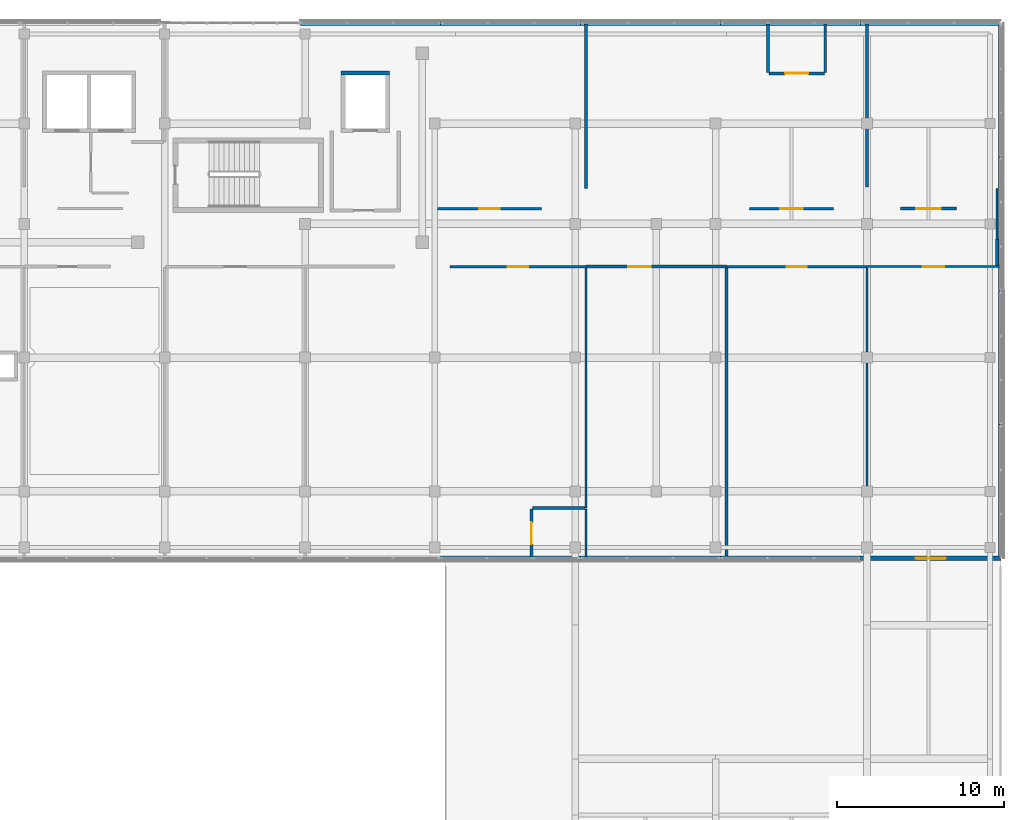
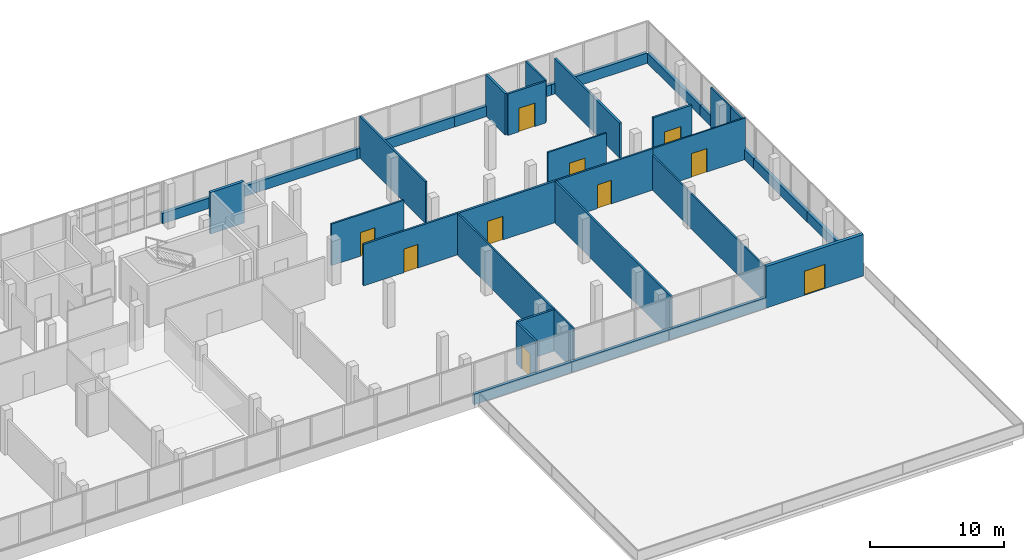
# One storey, part 70 of 76: 34 walls, 10 doors, 10 openings.
"""IFC4 building model written with IfcOpenShell, lengths in metres."""

from ifc_helpers import new_model, si_unit, direction, frame, frame_2d, origin, place, context, subcontext, project, spatial, rectangle, extrude, material, layer, layer_set, type_object, element, fill, save


model = new_model("IFC4")

# Units and contexts
model_context = context("Model", 3, precision=1e-05, world=origin(), true_north=direction((0.0, 1.0)))
body_context = subcontext(model_context, "Body", "Model", "MODEL_VIEW")
ifc_project = project(units=[si_unit("LENGTHUNIT", "METRE"), si_unit("AREAUNIT", "SQUARE_METRE"), si_unit("VOLUMEUNIT", "CUBIC_METRE"), si_unit("PLANEANGLEUNIT", "RADIAN"), si_unit("MASSUNIT", "GRAM", prefix="KILO")], contexts=[model_context])

# Site, building, storey
site_placement = place(None, origin())
site = spatial("IfcSite", under=ifc_project, at=site_placement, CompositionType="ELEMENT")
building_placement = place(site_placement, origin())
building = spatial("IfcBuilding", under=site, at=building_placement, Name="Selatvlak General Hospital", CompositionType="ELEMENT")
storey_placement = place(building_placement, frame((0.0, 0.0, 27.300048828125)))
storey = spatial("IfcBuildingStorey", under=building, at=storey_placement, Name="L06", CompositionType="ELEMENT", Elevation=27.300048828125)

# Walls
ifc_material_1 = material(Name="Precast concrete C40/50 - white Bauhaus spandrel", Category="concrete")
ifc_layer_1 = layer(ifc_material_1, 0.280029296875, Name="Precast concrete C40/50 - white Bauhaus spandrel", Category="concrete")
ifc_layer_set_1 = layer_set([ifc_layer_1], Name="Precast concrete C40/50 - white Bauhaus spandrel")
wall_type_1 = type_object("IfcWallType", Name="WALL-EW-02", PredefinedType="SOLIDWALL", material=ifc_layer_set_1)
wall_1_placement = place(storey_placement, frame((140.10693359375, 120.0, 0.0), z_axis=(0.0, 0.0, 1.0), x_axis=(1.0, 0.0, 0.0)))
element("IfcWall", 1, at=wall_1_placement, inside=storey, type_object=wall_type_1, Name="L06 Bauhaus spandrel sill wall 0537", PredefinedType="SOLIDWALL", context=body_context, shape_type="SweptSolid", body=[
    extrude(rectangle(XDim=8.3740234375, YDim=0.280029296875, at=frame_2d((4.18701171875, 0.0))), origin(), (0.0, 0.0, 1.0), 0.93994140625),
])
for number, where, z_axis, x_axis, name in (
    (2, (148.485107421875, 120.0, 0.0), (0.0, 0.0, 1.0), (1.0, 0.0, 0.0), "L06 Bauhaus spandrel sill wall 0538"),
    (3, (156.864013671875, 120.0, 0.0), (0.0, 0.0, 1.0), (1.0, 0.0, 0.0), "L06 Bauhaus spandrel sill wall 0539"),
    (4, (165.242919921875, 120.0, 0.0), (0.0, 0.0, 1.0), (1.0, 0.0, 0.0), "L06 Bauhaus spandrel sill wall 0540"),
):
    element("IfcWall", number, at=place(storey_placement, frame(where, z_axis=z_axis, x_axis=x_axis)), inside=storey, type_object=wall_type_1, Name=name, PredefinedType="SOLIDWALL", context=body_context, shape_type="SweptSolid", body=[
        extrude(rectangle(XDim=8.375, YDim=0.280029296875, at=frame_2d((4.1875, 0.0))), origin(), (0.0, 0.0, 1.0), 0.93994140625),
    ])
wall_2_placement = place(storey_placement, frame((173.6220703125, 120.0, 0.0), z_axis=(0.0, 0.0, 1.0), x_axis=(1.0, 0.0, 0.0)))
element("IfcWall", 5, at=wall_2_placement, inside=storey, type_object=wall_type_1, Name="L06 Bauhaus spandrel sill wall 0541", PredefinedType="SOLIDWALL", context=body_context, shape_type="SweptSolid", body=[
    extrude(rectangle(XDim=8.23681640625, YDim=0.280029296875, at=frame_2d((4.118408203125, 0.0))), origin(), (0.0, 0.0, 1.0), 0.93994140625),
])
wall_3_placement = place(storey_placement, frame((181.9990234375, 119.860107421875, 0.0), z_axis=(0.0, 0.0, 1.0), x_axis=(0.0, -1.0, 0.0)))
element("IfcWall", 6, at=wall_3_placement, inside=storey, type_object=wall_type_1, Name="L06 Bauhaus spandrel sill wall 0542", PredefinedType="SOLIDWALL", context=body_context, shape_type="SweptSolid", body=[
    extrude(rectangle(XDim=7.858154296875, YDim=0.280029296875, at=frame_2d((3.92919921875, 0.0))), origin(), (0.0, 0.0, 1.0), 0.93994140625),
])
wall_4_placement = place(storey_placement, frame((181.9990234375, 111.998046875, 0.0), z_axis=(0.0, 0.0, 1.0), x_axis=(0.000122144863, -0.99999999254, 0.0)))
element("IfcWall", 7, at=wall_4_placement, inside=storey, type_object=wall_type_1, Name="L06 Bauhaus spandrel sill wall 0543", PredefinedType="SOLIDWALL", context=body_context, shape_type="SweptSolid", body=[
    extrude(rectangle(XDim=7.9951171875, YDim=0.280029296875, at=frame_2d((3.99755859375, 0.0))), origin(), (0.0, 0.0, 1.0), 0.93994140625),
])
wall_5_placement = place(storey_placement, frame((182.0, 103.9990234375, 0.0), z_axis=(0.0, 0.0, 1.0), x_axis=(0.0, -1.0, 0.0)))
element("IfcWall", 8, at=wall_5_placement, inside=storey, type_object=wall_type_1, Name="L06 Bauhaus spandrel sill wall 0544", PredefinedType="SOLIDWALL", context=body_context, shape_type="SweptSolid", body=[
    extrude(rectangle(XDim=7.99609375, YDim=0.280029296875, at=frame_2d((3.998046875, 0.0))), origin(), (0.0, 0.0, 1.0), 0.93994140625),
])
wall_6_placement = place(storey_placement, frame((182.0, 95.9990234375, 0.0), z_axis=(0.0, 0.0, 1.0), x_axis=(0.0, -1.0, 0.0)))
element("IfcWall", 9, at=wall_6_placement, inside=storey, type_object=wall_type_1, Name="L06 Bauhaus spandrel sill wall 0545", PredefinedType="SOLIDWALL", context=body_context, shape_type="SweptSolid", body=[
    extrude(rectangle(XDim=7.85791015625, YDim=0.280029296875, at=frame_2d((3.928955078125, 0.0))), origin(), (0.0, 0.0, 1.0), 0.93994140625),
])

# Wall, opening, door
wall_7_placement = place(storey_placement, frame((182.0, 88.0009765625, 0.0), z_axis=(0.0, 0.0, 1.0), x_axis=(-1.0, 0.0, 0.0)))
wall_7 = element("IfcWall", 10, at=wall_7_placement, inside=storey, type_object=wall_type_1, Name="L06 exterior wall 0546", PredefinedType="SOLIDWALL", context=body_context, shape_type="SweptSolid", body=[
    extrude(rectangle(XDim=8.37890625, YDim=0.280029296875, at=frame_2d((4.189453125, 0.0))), origin(), (0.0, 0.0, 1.0), 3.780029296875),
])
opening_1_placement = place(wall_7_placement, frame((3.2890625, 0.0, 0.0)))
opening_1 = element("IfcOpeningElement", 11, at=opening_1_placement, cuts=wall_7, Name="Opening DE-04", PredefinedType="OPENING", context=body_context, shape_type="SweptSolid", body=[
    extrude(rectangle(XDim=1.800048828125, YDim=2.199951171875, at=frame_2d((0.89990234375, 1.10009765625))), frame((0.0, 0.14990234375, 0.0), z_axis=(0.0, -1.0, 0.0), x_axis=(1.0, 0.0, 0.0)), (0.0, 0.0, 1.0), 0.300048828125),
])
ifc_material_2 = material(Name="Anodised aluminium terrace double door", Category="aluminium")
door_type_1 = type_object("IfcDoorType", Name="DOOR-DE-04", OperationType="DOUBLE_DOOR_SINGLE_SWING", PredefinedType="DOOR", material=ifc_material_2)
door_1_placement = place(opening_1_placement, origin())
door_1 = element("IfcDoor", 12, at=door_1_placement, inside=storey, type_object=door_type_1, Name="L06 healing roof terrace door 032", OperationType="DOUBLE_DOOR_SINGLE_SWING", OverallHeight=2.199951171875, OverallWidth=1.800048828125, PredefinedType="DOOR", context=body_context, shape_type="SweptSolid", body=[
    extrude(rectangle(XDim=1.800048828125, YDim=2.199951171875, at=frame_2d((0.89990234375, 1.10009765625))), frame((0.0, 0.02490234375, 0.0), z_axis=(0.0, -1.0, 0.0), x_axis=(1.0, 0.0, 0.0)), (0.0, 0.0, 1.0), 0.050048828125),
])
fill(opening_1, door_1)

# Walls
for number, where, z_axis, x_axis, name in (
    (13, (173.618896484375, 88.0009765625, 0.0), (0.0, 0.0, 1.0), (-1.0, 0.0, 0.0), "L06 Bauhaus spandrel sill wall 0547"),
    (14, (165.239990234375, 88.0009765625, 0.0), (0.0, 0.0, 1.0), (-1.0, 0.0, 0.0), "L06 Bauhaus spandrel sill wall 0548"),
    (15, (156.861083984375, 88.0009765625, 0.0), (0.0, 0.0, 1.0), (-1.0, 0.0, 0.0), "L06 Bauhaus spandrel sill wall 0549"),
):
    element("IfcWall", number, at=place(storey_placement, frame(where, z_axis=z_axis, x_axis=x_axis)), inside=storey, type_object=wall_type_1, Name=name, PredefinedType="SOLIDWALL", context=body_context, shape_type="SweptSolid", body=[
        extrude(rectangle(XDim=8.375, YDim=0.280029296875, at=frame_2d((4.1875, 0.0))), origin(), (0.0, 0.0, 1.0), 0.93994140625),
    ])
ifc_material_3 = material(Name="Acoustic gypsum stud partition")
ifc_layer_2 = layer(ifc_material_3, 0.179931640625, Name="Acoustic gypsum stud partition")
ifc_layer_set_2 = layer_set([ifc_layer_2], Name="Acoustic gypsum stud partition")
wall_type_2 = type_object("IfcWallType", Name="WALL-PT-01", PredefinedType="PARTITIONING", material=ifc_layer_set_2)
wall_8_placement = place(storey_placement, frame((157.135986328125, 91.0, 0.0), z_axis=(0.0, 0.0, 1.0), x_axis=(-1.0, 0.0, 0.0)))
element("IfcWall", 16, at=wall_8_placement, inside=storey, type_object=wall_type_2, Name="L06 clinical partition PT-L06-2007", PredefinedType="PARTITIONING", context=body_context, shape_type="SweptSolid", body=[
    extrude(rectangle(XDim=3.135986328125, YDim=0.179931640625, at=frame_2d((1.56787109375, 0.0))), origin(), (0.0, 0.0, 1.0), 3.780029296875),
])

# Wall, opening, door
wall_9_placement = place(storey_placement, frame((157.199951171875, 105.43994140625, 0.0), z_axis=(0.0, 0.0, 1.0), x_axis=(1.0, 0.0, 0.0)))
wall_9 = element("IfcWall", 17, at=wall_9_placement, inside=storey, type_object=wall_type_2, Name="L06 clinical partition PT-L06-2010", PredefinedType="PARTITIONING", context=body_context, shape_type="SweptSolid", body=[
    extrude(rectangle(XDim=8.400146484375, YDim=0.179931640625, at=frame_2d((4.2001953125, 0.0))), origin(), (0.0, 0.0, 1.0), 3.780029296875),
])
opening_2_placement = place(wall_9_placement, frame((2.51708984375, 0.0, 0.0)))
opening_2 = element("IfcOpeningElement", 18, at=opening_2_placement, cuts=wall_9, Name="Opening D-10", PredefinedType="OPENING", context=body_context, shape_type="SweptSolid", body=[
    extrude(rectangle(XDim=1.35009765625, YDim=2.14990234375, at=frame_2d((0.675048828125, 1.074951171875))), frame((0.0, 0.099853515625, 0.0), z_axis=(0.0, -1.0, 0.0), x_axis=(1.0, 0.0, 0.0)), (0.0, 0.0, 1.0), 0.199951171875),
])
ifc_material_4 = material(Name="Single patient bed door")
door_type_2 = type_object("IfcDoorType", Name="DOOR-D-10", OperationType="NOTDEFINED", PredefinedType="DOOR", material=ifc_material_4)
door_2_placement = place(opening_2_placement, origin())
door_2 = element("IfcDoor", 19, at=door_2_placement, inside=storey, type_object=door_type_2, Name="L06 Coronary Care Unit Bay 14 door", OperationType="SINGLE_SWING_RIGHT", OverallHeight=2.14990234375, OverallWidth=1.35009765625, PredefinedType="DOOR", context=body_context, shape_type="SweptSolid", body=[
    extrude(rectangle(XDim=1.35009765625, YDim=2.14990234375, at=frame_2d((0.675048828125, 1.074951171875))), frame((0.0, 0.02490234375, 0.0), z_axis=(0.0, -1.0, 0.0), x_axis=(1.0, 0.0, 0.0)), (0.0, 0.0, 1.0), 0.050048828125),
])
fill(opening_2, door_2)

# Walls
wall_10_placement = place(storey_placement, frame((181.760009765625, 105.49609375, 0.0), z_axis=(0.0, 0.0, 1.0), x_axis=(0.0, 1.0, 0.0)))
element("IfcWall", 20, at=wall_10_placement, inside=storey, type_object=wall_type_2, Name="L06 clinical partition PT-L06-2015", PredefinedType="PARTITIONING", context=body_context, shape_type="SweptSolid", body=[
    extrude(rectangle(XDim=1.60400390625, YDim=0.179931640625, at=frame_2d((0.802001953125, 0.0))), origin(), (0.0, 0.0, 1.0), 3.780029296875),
])
wall_11_placement = place(storey_placement, frame((168.090087890625, 119.9580078125, 0.0), z_axis=(0.0, 0.0, 1.0), x_axis=(0.0, -1.0, 0.0)))
element("IfcWall", 21, at=wall_11_placement, inside=storey, type_object=wall_type_2, Name="L06 clinical partition PT-L06-2055", PredefinedType="PARTITIONING", context=body_context, shape_type="SweptSolid", body=[
    extrude(rectangle(XDim=2.89794921875, YDim=0.179931640625, at=frame_2d((1.448974609375, 0.0))), origin(), (0.0, 0.0, 1.0), 3.780029296875),
])
wall_12_placement = place(storey_placement, frame((174.0, 119.9580078125, 0.0), z_axis=(0.0, 0.0, 1.0), x_axis=(0.0, -1.0, 0.0)))
element("IfcWall", 22, at=wall_12_placement, inside=storey, type_object=wall_type_2, Name="L06 clinical partition PT-L06-2058", PredefinedType="PARTITIONING", context=body_context, shape_type="SweptSolid", body=[
    extrude(rectangle(XDim=9.748046875, YDim=0.179931640625, at=frame_2d((4.8740234375, 0.0))), origin(), (0.0, 0.0, 1.0), 3.177978515625),
])

# Wall, opening, door
wall_13_placement = place(storey_placement, frame((179.339111328125, 108.909912109375, 0.0), z_axis=(0.0, 0.0, 1.0), x_axis=(-1.0, 0.0, 0.0)))
wall_13 = element("IfcWall", 23, at=wall_13_placement, inside=storey, type_object=wall_type_2, Name="L06 clinical partition PT-L06-2060", PredefinedType="PARTITIONING", context=body_context, shape_type="SweptSolid", body=[
    extrude(rectangle(XDim=3.328125, YDim=0.179931640625, at=frame_2d((1.6640625, 0.0))), origin(), (0.0, 0.0, 1.0), 3.780029296875),
])
opening_3_placement = place(wall_13_placement, frame((0.93896484375, 0.0, 0.0)))
opening_3 = element("IfcOpeningElement", 24, at=opening_3_placement, cuts=wall_13, Name="Opening D-12", PredefinedType="OPENING", context=body_context, shape_type="SweptSolid", body=[
    extrude(rectangle(XDim=1.449951171875, YDim=2.14990234375, at=frame_2d((0.72509765625, 1.074951171875))), frame((0.0, 0.099853515625, 0.0), z_axis=(0.0, -1.0, 0.0), x_axis=(1.0, 0.0, 0.0)), (0.0, 0.0, 1.0), 0.199951171875),
])
ifc_material_5 = material(Name="Isolation anteroom door")
door_type_3 = type_object("IfcDoorType", Name="DOOR-D-12", OperationType="NOTDEFINED", PredefinedType="DOOR", material=ifc_material_5)
door_3_placement = place(opening_3_placement, origin())
door_3 = element("IfcDoor", 25, at=door_3_placement, inside=storey, type_object=door_type_3, Name="L06 Coronary Care Unit Bay 32 door", OperationType="SINGLE_SWING_RIGHT", OverallHeight=2.14990234375, OverallWidth=1.449951171875, PredefinedType="DOOR", context=body_context, shape_type="SweptSolid", body=[
    extrude(rectangle(XDim=1.449951171875, YDim=2.14990234375, at=frame_2d((0.72509765625, 1.074951171875))), frame((0.0, 0.02490234375, 0.0), z_axis=(0.0, -1.0, 0.0), x_axis=(1.0, 0.0, 0.0)), (0.0, 0.0, 1.0), 0.050048828125),
])
fill(opening_3, door_3)

ifc_layer_3 = layer(ifc_material_3, 0.1650390625, Name="Acoustic gypsum stud partition")
ifc_layer_set_3 = layer_set([ifc_layer_3], Name="Acoustic gypsum stud partition")
wall_type_3 = type_object("IfcWallType", Name="WALL-PT-02", PredefinedType="PARTITIONING", material=ifc_layer_set_3)
wall_14_placement = place(storey_placement, frame((149.055908203125, 105.43994140625, 0.0), z_axis=(0.0, 0.0, 1.0), x_axis=(1.0, 0.0, 0.0)))
wall_14 = element("IfcWall", 26, at=wall_14_placement, inside=storey, type_object=wall_type_3, Name="L06 clinical partition PT-L06-2005", PredefinedType="PARTITIONING", context=body_context, shape_type="SweptSolid", body=[
    extrude(rectangle(XDim=8.14404296875, YDim=0.1650390625, at=frame_2d((4.072021484375, 0.0))), origin(), (0.0, 0.0, 1.0), 3.780029296875),
])
opening_4_placement = place(wall_14_placement, frame((3.471923828125, 0.0, 0.0)))
opening_4 = element("IfcOpeningElement", 27, at=opening_4_placement, cuts=wall_14, Name="Opening D-07", PredefinedType="OPENING", context=body_context, shape_type="SweptSolid", body=[
    extrude(rectangle(XDim=1.199951171875, YDim=2.14990234375, at=frame_2d((0.60009765625, 1.074951171875))), frame((0.0, 0.092529296875, 0.0), z_axis=(0.0, -1.0, 0.0), x_axis=(1.0, 0.0, 0.0)), (0.0, 0.0, 1.0), 0.18505859375),
])
ifc_material_6 = material(Name="Plant and store fire door")
door_type_4 = type_object("IfcDoorType", Name="DOOR-D-07", OperationType="NOTDEFINED", PredefinedType="DOOR", material=ifc_material_6)
door_4_placement = place(opening_4_placement, origin())
door_4 = element("IfcDoor", 28, at=door_4_placement, inside=storey, type_object=door_type_4, Name="L06 Single Patient Room 13 door", OperationType="SINGLE_SWING_RIGHT", OverallHeight=2.14990234375, OverallWidth=1.199951171875, PredefinedType="DOOR", context=body_context, shape_type="SweptSolid", body=[
    extrude(rectangle(XDim=1.199951171875, YDim=2.14990234375, at=frame_2d((0.60009765625, 1.074951171875))), frame((0.0, 0.02490234375, 0.0), z_axis=(0.0, -1.0, 0.0), x_axis=(1.0, 0.0, 0.0)), (0.0, 0.0, 1.0), 0.050048828125),
])
fill(opening_4, door_4)

wall_15_placement = place(storey_placement, frame((153.93994140625, 90.93994140625, 0.0), z_axis=(0.0, 0.0, 1.0), x_axis=(0.0, -1.0, 0.0)))
wall_15 = element("IfcWall", 29, at=wall_15_placement, inside=storey, type_object=wall_type_3, Name="L06 clinical partition PT-L06-2008", PredefinedType="PARTITIONING", context=body_context, shape_type="SweptSolid", body=[
    extrude(rectangle(XDim=2.89697265625, YDim=0.1650390625, at=frame_2d((1.448486328125, 0.0))), origin(), (0.0, 0.0, 1.0), 3.780029296875),
])
opening_5_placement = place(wall_15_placement, frame((0.798095703125, 0.0, 0.0)))
opening_5 = element("IfcOpeningElement", 30, at=opening_5_placement, cuts=wall_15, Name="Opening D-09", PredefinedType="OPENING", context=body_context, shape_type="SweptSolid", body=[
    extrude(rectangle(XDim=1.300048828125, YDim=2.14990234375, at=frame_2d((0.64990234375, 1.074951171875))), frame((0.0, 0.092529296875, 0.0), z_axis=(0.0, -1.0, 0.0), x_axis=(1.0, 0.0, 0.0)), (0.0, 0.0, 1.0), 0.18505859375),
])
ifc_material_7 = material(Name="Outpatient procedure door")
door_type_5 = type_object("IfcDoorType", Name="DOOR-D-09", OperationType="NOTDEFINED", PredefinedType="DOOR", material=ifc_material_7)
door_5_placement = place(opening_5_placement, origin())
door_5 = element("IfcDoor", 31, at=door_5_placement, inside=storey, type_object=door_type_5, Name="L06 Patient En-Suite WC 13 door", OperationType="SINGLE_SWING_LEFT", OverallHeight=2.14990234375, OverallWidth=1.300048828125, PredefinedType="DOOR", context=body_context, shape_type="SweptSolid", body=[
    extrude(rectangle(XDim=1.300048828125, YDim=2.14990234375, at=frame_2d((0.64990234375, 1.074951171875))), frame((0.0, 0.02490234375, 0.0), z_axis=(0.0, -1.0, 0.0), x_axis=(1.0, 0.0, 0.0)), (0.0, 0.0, 1.0), 0.050048828125),
])
fill(opening_5, door_5)

# Walls
wall_16_placement = place(storey_placement, frame((165.60009765625, 105.35400390625, 0.0), z_axis=(0.0, 0.0, 1.0), x_axis=(0.0, -1.0, 0.0)))
element("IfcWall", 32, at=wall_16_placement, inside=storey, type_object=wall_type_3, Name="L06 clinical partition PT-L06-2011", PredefinedType="PARTITIONING", context=body_context, shape_type="SweptSolid", body=[
    extrude(rectangle(XDim=17.31103515625, YDim=0.1650390625, at=frame_2d((8.655517578125, 0.0))), origin(), (0.0, 0.0, 1.0), 3.780029296875),
])
wall_17_placement = place(storey_placement, frame((157.199951171875, 119.9580078125, 0.0), z_axis=(0.0, 0.0, 1.0), x_axis=(0.0, -1.0, 0.0)))
element("IfcWall", 33, at=wall_17_placement, inside=storey, type_object=wall_type_3, Name="L06 clinical partition PT-L06-2051", PredefinedType="PARTITIONING", context=body_context, shape_type="SweptSolid", body=[
    extrude(rectangle(XDim=9.845947265625, YDim=0.1650390625, at=frame_2d((4.9228515625, 0.0))), origin(), (0.0, 0.0, 1.0), 3.780029296875),
])

# Wall, opening, door
wall_18_placement = place(storey_placement, frame((168.14990234375, 117.0, 0.0), z_axis=(0.0, 0.0, 1.0), x_axis=(1.0, 0.0, 0.0)))
wall_18 = element("IfcWall", 34, at=wall_18_placement, inside=storey, type_object=wall_type_3, Name="L06 clinical partition PT-L06-2056", PredefinedType="PARTITIONING", context=body_context, shape_type="SweptSolid", body=[
    extrude(rectangle(XDim=3.300048828125, YDim=0.1650390625, at=frame_2d((1.64990234375, 0.0))), origin(), (0.0, 0.0, 1.0), 3.780029296875),
])
opening_6_placement = place(wall_18_placement, frame((0.949951171875, 0.0, 0.0)))
opening_6 = element("IfcOpeningElement", 35, at=opening_6_placement, cuts=wall_18, Name="Opening D-11", PredefinedType="OPENING", context=body_context, shape_type="SweptSolid", body=[
    extrude(rectangle(XDim=1.39990234375, YDim=2.14990234375, at=frame_2d((0.699951171875, 1.074951171875))), frame((0.0, 0.092529296875, 0.0), z_axis=(0.0, -1.0, 0.0), x_axis=(1.0, 0.0, 0.0)), (0.0, 0.0, 1.0), 0.18505859375),
])
ifc_material_8 = material(Name="Inpatient suite bed door")
door_type_6 = type_object("IfcDoorType", Name="DOOR-D-11", OperationType="NOTDEFINED", PredefinedType="DOOR", material=ifc_material_8)
door_6_placement = place(opening_6_placement, origin())
door_6 = element("IfcDoor", 36, at=door_6_placement, inside=storey, type_object=door_type_6, Name="L06 Patient En-Suite WC 31 door", OperationType="SINGLE_SWING_LEFT", OverallHeight=2.14990234375, OverallWidth=1.39990234375, PredefinedType="DOOR", context=body_context, shape_type="SweptSolid", body=[
    extrude(rectangle(XDim=1.39990234375, YDim=2.14990234375, at=frame_2d((0.699951171875, 1.074951171875))), frame((0.0, 0.02490234375, 0.0), z_axis=(0.0, -1.0, 0.0), x_axis=(1.0, 0.0, 0.0)), (0.0, 0.0, 1.0), 0.050048828125),
])
fill(opening_6, door_6)

ifc_layer_4 = layer(ifc_material_3, 0.14990234375, Name="Acoustic gypsum stud partition")
ifc_layer_set_4 = layer_set([ifc_layer_4], Name="Acoustic gypsum stud partition")
wall_type_4 = type_object("IfcWallType", Name="WALL-PT-03", PredefinedType="PARTITIONING", material=ifc_layer_set_4)
wall_19_placement = place(storey_placement, frame((165.60009765625, 105.43994140625, 0.0), z_axis=(0.0, 0.0, 1.0), x_axis=(1.0, 0.0, 0.0)))
wall_19 = element("IfcWall", 37, at=wall_19_placement, inside=storey, type_object=wall_type_4, Name="L06 clinical partition PT-L06-2012", PredefinedType="PARTITIONING", context=body_context, shape_type="SweptSolid", body=[
    extrude(rectangle(XDim=8.39990234375, YDim=0.14990234375, at=frame_2d((4.199951171875, 0.0))), origin(), (0.0, 0.0, 1.0), 3.780029296875),
])
opening_7_placement = place(wall_19_placement, frame((3.60009765625, 0.0, 0.0)))
opening_7 = element("IfcOpeningElement", 38, at=opening_7_placement, cuts=wall_19, Name="Opening D-23", PredefinedType="OPENING", context=body_context, shape_type="SweptSolid", body=[
    extrude(rectangle(XDim=1.199951171875, YDim=2.14990234375, at=frame_2d((0.60009765625, 1.074951171875))), frame((0.0, 0.0849609375, 0.0), z_axis=(0.0, -1.0, 0.0), x_axis=(1.0, 0.0, 0.0)), (0.0, 0.0, 1.0), 0.169921875),
])
ifc_material_9 = material(Name="Endoscopy clinical door")
door_type_7 = type_object("IfcDoorType", Name="DOOR-D-23", OperationType="NOTDEFINED", PredefinedType="DOOR", material=ifc_material_9)
door_7_placement = place(opening_7_placement, origin())
door_7 = element("IfcDoor", 39, at=door_7_placement, inside=storey, type_object=door_type_7, Name="L06 Acute Stroke Inpatient Ward 15 door", OperationType="SINGLE_SWING_LEFT", OverallHeight=2.14990234375, OverallWidth=1.199951171875, PredefinedType="DOOR", context=body_context, shape_type="SweptSolid", body=[
    extrude(rectangle(XDim=1.199951171875, YDim=2.14990234375, at=frame_2d((0.60009765625, 1.074951171875))), frame((0.0, 0.02490234375, 0.0), z_axis=(0.0, -1.0, 0.0), x_axis=(1.0, 0.0, 0.0)), (0.0, 0.0, 1.0), 0.050048828125),
])
fill(opening_7, door_7)

wall_20_placement = place(storey_placement, frame((154.5390625, 108.909912109375, 0.0), z_axis=(0.0, 0.0, 1.0), x_axis=(-1.0, 0.0, 0.0)))
wall_20 = element("IfcWall", 40, at=wall_20_placement, inside=storey, type_object=wall_type_4, Name="L06 clinical partition PT-L06-2052", PredefinedType="PARTITIONING", context=body_context, shape_type="SweptSolid", body=[
    extrude(rectangle(XDim=6.22607421875, YDim=0.14990234375, at=frame_2d((3.113037109375, 0.0))), origin(), (0.0, 0.0, 1.0), 3.780029296875),
])
opening_8_placement = place(wall_20_placement, frame((2.488037109375, 0.0, 0.0)))
opening_8 = element("IfcOpeningElement", 41, at=opening_8_placement, cuts=wall_20, Name="Opening D-08", PredefinedType="OPENING", context=body_context, shape_type="SweptSolid", body=[
    extrude(rectangle(XDim=1.25, YDim=2.14990234375, at=frame_2d((0.625, 1.074951171875))), frame((0.0, 0.0849609375, 0.0), z_axis=(0.0, -1.0, 0.0), x_axis=(1.0, 0.0, 0.0)), (0.0, 0.0, 1.0), 0.169921875),
])
ifc_material_10 = material(Name="Diagnostic treatment door")
door_type_8 = type_object("IfcDoorType", Name="DOOR-D-08", OperationType="NOTDEFINED", PredefinedType="DOOR", material=ifc_material_10)
door_8_placement = place(opening_8_placement, origin())
door_8 = element("IfcDoor", 42, at=door_8_placement, inside=storey, type_object=door_type_8, Name="L06 Cardiac Rehabilitation Room 29 door", OperationType="SINGLE_SWING_LEFT", OverallHeight=2.14990234375, OverallWidth=1.25, PredefinedType="DOOR", context=body_context, shape_type="SweptSolid", body=[
    extrude(rectangle(XDim=1.25, YDim=2.14990234375, at=frame_2d((0.625, 1.074951171875))), frame((0.0, 0.02490234375, 0.0), z_axis=(0.0, -1.0, 0.0), x_axis=(1.0, 0.0, 0.0)), (0.0, 0.0, 1.0), 0.050048828125),
])
fill(opening_8, door_8)

# Walls
ifc_material_11 = material(Name="Moisture-resistant clinical partition")
ifc_layer_5 = layer(ifc_material_11, 0.135009765625, Name="Moisture-resistant clinical partition")
ifc_layer_set_5 = layer_set([ifc_layer_5], Name="Moisture-resistant clinical partition")
wall_type_5 = type_object("IfcWallType", Name="WALL-PT-04", PredefinedType="PARTITIONING", material=ifc_layer_set_5)
wall_21_placement = place(storey_placement, frame((157.199951171875, 105.361083984375, 0.0), z_axis=(0.0, 0.0, 1.0), x_axis=(0.0, -1.0, 0.0)))
element("IfcWall", 43, at=wall_21_placement, inside=storey, type_object=wall_type_5, Name="L06 clinical partition PT-L06-2006", PredefinedType="PARTITIONING", context=body_context, shape_type="SweptSolid", body=[
    extrude(rectangle(XDim=14.361083984375, YDim=0.135009765625, at=frame_2d((7.1806640625, 0.0))), origin(), (0.0, 0.0, 1.0), 3.780029296875),
])
wall_22_placement = place(storey_placement, frame((157.199951171875, 90.93994140625, 0.0), z_axis=(0.0, 0.0, 1.0), x_axis=(0.0, -1.0, 0.0)))
element("IfcWall", 44, at=wall_22_placement, inside=storey, type_object=wall_type_5, Name="L06 clinical partition PT-L06-2009", PredefinedType="PARTITIONING", context=body_context, shape_type="SweptSolid", body=[
    extrude(rectangle(XDim=2.89697265625, YDim=0.135009765625, at=frame_2d((1.448486328125, 0.0))), origin(), (0.0, 0.0, 1.0), 3.780029296875),
])
wall_23_placement = place(storey_placement, frame((174.0, 105.368896484375, 0.0), z_axis=(0.0, 0.0, 1.0), x_axis=(0.0, -1.0, 0.0)))
element("IfcWall", 45, at=wall_23_placement, inside=storey, type_object=wall_type_5, Name="L06 clinical partition PT-L06-2013", PredefinedType="PARTITIONING", context=body_context, shape_type="SweptSolid", body=[
    extrude(rectangle(XDim=17.23095703125, YDim=0.135009765625, at=frame_2d((8.615478515625, 0.0))), origin(), (0.0, 0.0, 1.0), 3.177978515625),
])

# Wall, opening, door
wall_24_placement = place(storey_placement, frame((171.989013671875, 108.909912109375, 0.0), z_axis=(0.0, 0.0, 1.0), x_axis=(-1.0, 0.0, 0.0)))
wall_24 = element("IfcWall", 46, at=wall_24_placement, inside=storey, type_object=wall_type_5, Name="L06 clinical partition PT-L06-2054", PredefinedType="PARTITIONING", context=body_context, shape_type="SweptSolid", body=[
    extrude(rectangle(XDim=5.028076171875, YDim=0.135009765625, at=frame_2d((2.51416015625, 0.0))), origin(), (0.0, 0.0, 1.0), 3.780029296875),
])
opening_9_placement = place(wall_24_placement, frame((1.839111328125, 0.0, 0.0)))
opening_9 = element("IfcOpeningElement", 47, at=opening_9_placement, cuts=wall_24, Name="Opening D-10", PredefinedType="OPENING", context=body_context, shape_type="SweptSolid", body=[
    extrude(rectangle(XDim=1.35009765625, YDim=2.14990234375, at=frame_2d((0.675048828125, 1.074951171875))), frame((0.0, 0.077392578125, 0.0), z_axis=(0.0, -1.0, 0.0), x_axis=(1.0, 0.0, 0.0)), (0.0, 0.0, 1.0), 0.155029296875),
])
door_9_placement = place(opening_9_placement, origin())
door_9 = element("IfcDoor", 48, at=door_9_placement, inside=storey, type_object=door_type_2, Name="L06 Single Patient Room 31 door", OperationType="SINGLE_SWING_RIGHT", OverallHeight=2.14990234375, OverallWidth=1.35009765625, PredefinedType="DOOR", context=body_context, shape_type="SweptSolid", body=[
    extrude(rectangle(XDim=1.35009765625, YDim=2.14990234375, at=frame_2d((0.675048828125, 1.074951171875))), frame((0.0, 0.02490234375, 0.0), z_axis=(0.0, -1.0, 0.0), x_axis=(1.0, 0.0, 0.0)), (0.0, 0.0, 1.0), 0.050048828125),
])
fill(opening_9, door_9)

# Wall
wall_25_placement = place(storey_placement, frame((171.510009765625, 117.06005859375, 0.0), z_axis=(0.0, 0.0, 1.0), x_axis=(0.0, 1.0, 0.0)))
element("IfcWall", 49, at=wall_25_placement, inside=storey, type_object=wall_type_5, Name="L06 clinical partition PT-L06-2057", PredefinedType="PARTITIONING", context=body_context, shape_type="SweptSolid", body=[
    extrude(rectangle(XDim=2.89794921875, YDim=0.135009765625, at=frame_2d((1.448974609375, 0.0))), origin(), (0.0, 0.0, 1.0), 3.780029296875),
])

# Wall, opening, door
ifc_layer_6 = layer(ifc_material_11, 0.1201171875, Name="Moisture-resistant clinical partition")
ifc_layer_set_6 = layer_set([ifc_layer_6], Name="Moisture-resistant clinical partition")
wall_type_6 = type_object("IfcWallType", Name="WALL-PT-05", PredefinedType="PARTITIONING", material=ifc_layer_set_6)
wall_26_placement = place(storey_placement, frame((174.0, 105.43994140625, 0.0), z_axis=(0.0, 0.0, 1.0), x_axis=(1.0, 0.0, 0.0)))
wall_26 = element("IfcWall", 50, at=wall_26_placement, inside=storey, type_object=wall_type_6, Name="L06 clinical partition PT-L06-2014", PredefinedType="PARTITIONING", context=body_context, shape_type="SweptSolid", body=[
    extrude(rectangle(XDim=7.9580078125, YDim=0.1201171875, at=frame_2d((3.97900390625, 0.0))), origin(), (0.0, 0.0, 1.0), 3.780029296875),
])
opening_10_placement = place(wall_26_placement, frame((3.3291015625, 0.0, 0.0)))
opening_10 = element("IfcOpeningElement", 51, at=opening_10_placement, cuts=wall_26, Name="Opening D-24", PredefinedType="OPENING", context=body_context, shape_type="SweptSolid", body=[
    extrude(rectangle(XDim=1.300048828125, YDim=2.14990234375, at=frame_2d((0.64990234375, 1.074951171875))), frame((0.0, 0.070068359375, 0.0), z_axis=(0.0, -1.0, 0.0), x_axis=(1.0, 0.0, 0.0)), (0.0, 0.0, 1.0), 0.14013671875),
])
ifc_material_12 = material(Name="Oncology bay door")
door_type_9 = type_object("IfcDoorType", Name="DOOR-D-24", OperationType="NOTDEFINED", PredefinedType="DOOR", material=ifc_material_12)
door_10_placement = place(opening_10_placement, origin())
door_10 = element("IfcDoor", 52, at=door_10_placement, inside=storey, type_object=door_type_9, Name="L06 Neurology Diagnostic Room 16 door", OperationType="SINGLE_SWING_RIGHT", OverallHeight=2.14990234375, OverallWidth=1.300048828125, PredefinedType="DOOR", context=body_context, shape_type="SweptSolid", body=[
    extrude(rectangle(XDim=1.300048828125, YDim=2.14990234375, at=frame_2d((0.64990234375, 1.074951171875))), frame((0.0, 0.02490234375, 0.0), z_axis=(0.0, -1.0, 0.0), x_axis=(1.0, 0.0, 0.0)), (0.0, 0.0, 1.0), 0.050048828125),
])
fill(opening_10, door_10)

# Walls
wall_27_placement = place(storey_placement, frame((181.760009765625, 107.10009765625, 0.0), z_axis=(0.0, 0.0, 1.0), x_axis=(0.0, 1.0, 0.0)))
element("IfcWall", 53, at=wall_27_placement, inside=storey, type_object=wall_type_6, Name="L06 clinical partition PT-L06-2059", PredefinedType="PARTITIONING", context=body_context, shape_type="SweptSolid", body=[
    extrude(rectangle(XDim=3.018798828125, YDim=0.1201171875, at=frame_2d((1.50927734375, 0.0))), origin(), (0.0, 0.0, 1.0), 3.780029296875),
])
ifc_material_13 = material(Name="Concrete C40/50", Category="concrete")
ifc_layer_7 = layer(ifc_material_13, 0.25, Name="Concrete C40/50", Category="concrete")
ifc_layer_set_7 = layer_set([ifc_layer_7], Name="Concrete C40/50")
wall_type_7 = type_object("IfcWallType", Name="WALL-SW-03", PredefinedType="SHEAR", material=ifc_layer_set_7)
wall_28_placement = place(storey_placement, frame((145.449951171875, 117.02490234375, 0.0), z_axis=(0.0, 0.0, 1.0), x_axis=(-1.0, 0.0, 0.0)))
element("IfcWall", 54, at=wall_28_placement, inside=storey, type_object=wall_type_7, Name="Lift LF-03 shaft wall L06 N", PredefinedType="SHEAR", context=body_context, shape_type="SweptSolid", body=[
    extrude(rectangle(XDim=2.89990234375, YDim=0.25, at=frame_2d((1.449951171875, 0.0))), origin(), (0.0, 0.0, 1.0), 3.780029296875),
])

save(model, "model.ifc")
